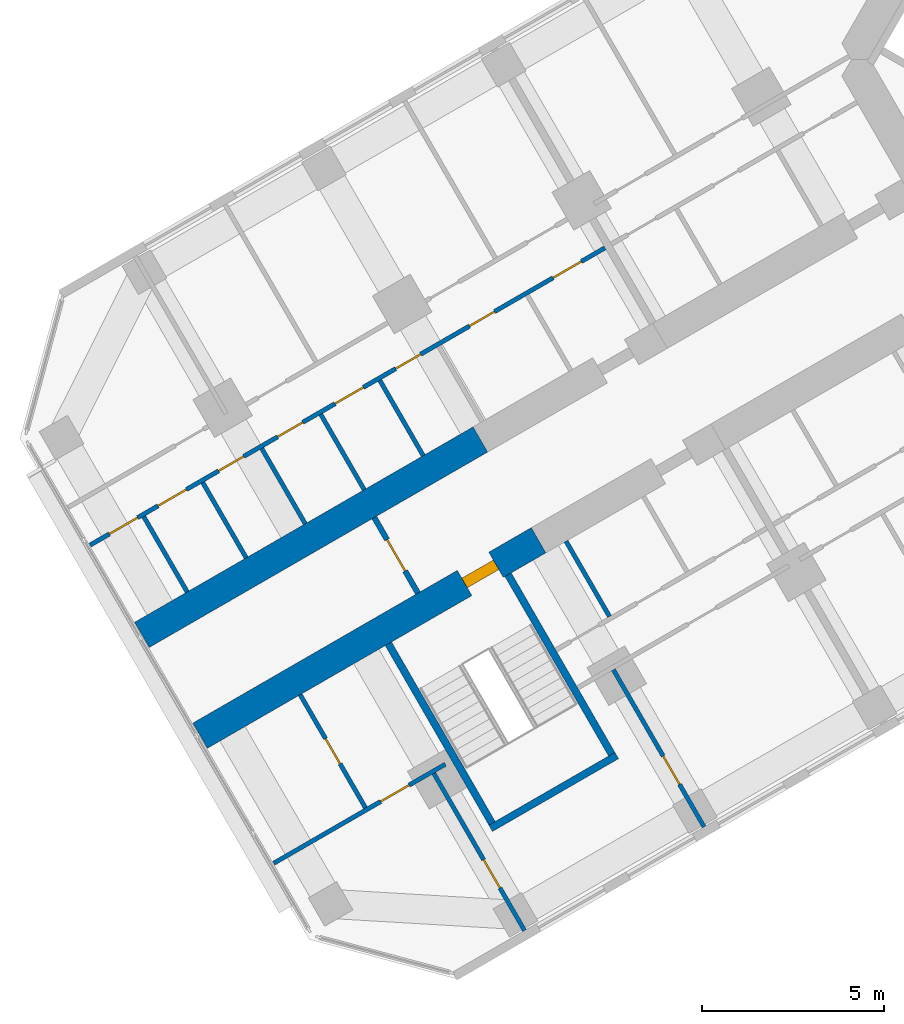
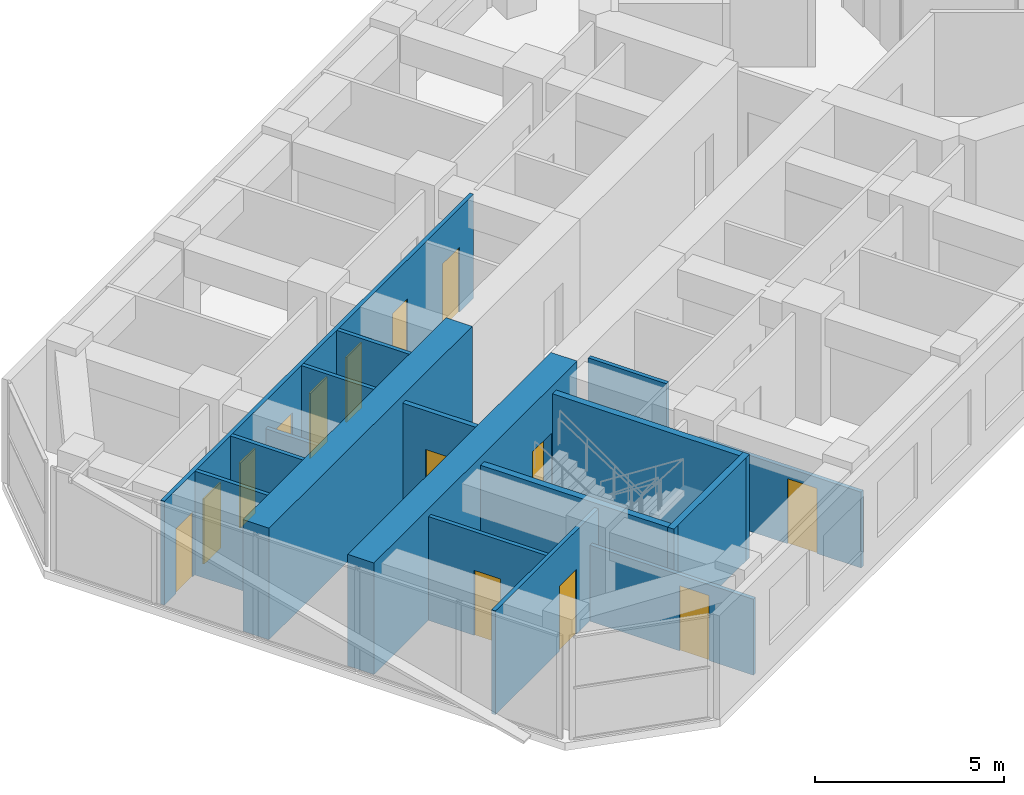
# One storey, part 10 of 19: 17 walls, 14 doors, 14 openings.
"""IFC4 building model written with IfcOpenShell, lengths in metres."""

from ifc_helpers import new_model, si_unit, direction, frame, frame_2d, origin, place, context, subcontext, project, spatial, rectangle, extrude, material, layer, layer_set, type_object, element, fill, save


model = new_model("IFC4")

# Units and contexts
model_context = context("Model", 3, precision=1e-05, world=origin(), true_north=direction((0.0, 1.0)))
body_context = subcontext(model_context, "Body", "Model", "MODEL_VIEW")
ifc_project = project(units=[si_unit("LENGTHUNIT", "METRE"), si_unit("AREAUNIT", "SQUARE_METRE"), si_unit("VOLUMEUNIT", "CUBIC_METRE"), si_unit("PLANEANGLEUNIT", "RADIAN"), si_unit("MASSUNIT", "GRAM", prefix="KILO")], contexts=[model_context])

# Site, building, storey
site_placement = place(None, origin())
site = spatial("IfcSite", under=ifc_project, at=site_placement, CompositionType="ELEMENT")
building_placement = place(site_placement, origin())
building = spatial("IfcBuilding", under=site, at=building_placement, Name="Kosmar Iwan School Tower", CompositionType="ELEMENT")
storey_placement = place(building_placement, frame((0.0, 0.0, 165.199951171875)))
storey = spatial("IfcBuildingStorey", under=building, at=storey_placement, Name="L41", CompositionType="ELEMENT", Elevation=165.199951171875)

# Wall, opening, door
ifc_material_1 = material(Name="Concrete C50/60", Category="concrete")
ifc_layer_1 = layer(ifc_material_1, 0.800048828125)
ifc_layer_set_1 = layer_set([ifc_layer_1], Name="Corridor buttress wall 800")
wall_type_1 = type_object("IfcWallType", Name="Corridor buttress wall 800", PredefinedType="SHEAR", material=ifc_layer_set_1)
wall_1_placement = place(storey_placement, frame((-19.681396484375, -13.210693359375, 0.0), z_axis=(0.0, 0.0, 1.0), x_axis=(-0.866028186671, -0.499995179869, 0.0)))
wall_1 = element("IfcWall", 1, at=wall_1_placement, inside=storey, type_object=wall_type_1, Name="Corridor wall BL bay 3", PredefinedType="SHEAR", context=body_context, shape_type="SweptSolid", body=[
    extrude(rectangle(XDim=10.7451171875, YDim=0.800048828125, at=frame_2d((5.37255859375, 0.0))), origin(), (0.0, 0.0, 1.0), 3.60009765625),
])
opening_1_placement = place(wall_1_placement, frame((1.35009765625, 0.0, 0.0)))
opening_1 = element("IfcOpeningElement", 2, at=opening_1_placement, cuts=wall_1, Name="Opening D6", PredefinedType="OPENING", context=body_context, shape_type="SweptSolid", body=[
    extrude(rectangle(XDim=1.0, YDim=2.10009765625, at=frame_2d((0.5, 1.050048828125))), frame((0.0, 0.412109375, 0.0), z_axis=(0.0, -1.0, 0.0), x_axis=(1.0, 0.0, 0.0)), (0.0, 0.0, 1.0), 0.823974609375),
])
ifc_material_2 = material(Name="Steel fire door", Category="steel")
door_type_1 = type_object("IfcDoorType", Name="Stair door 1000x2100", OperationType="SINGLE_SWING_LEFT", PredefinedType="DOOR", material=ifc_material_2)
door_1_placement = place(opening_1_placement, origin())
door_1 = element("IfcDoor", 3, at=door_1_placement, inside=storey, type_object=door_type_1, Name="Stair WS2 door L41", OperationType="SINGLE_SWING_LEFT", OverallHeight=2.10009765625, OverallWidth=1.0, PredefinedType="DOOR", context=body_context, shape_type="SweptSolid", body=[
    extrude(rectangle(XDim=1.0, YDim=2.10009765625, at=frame_2d((0.5, 1.050048828125))), frame((0.0, 0.14990234375, 0.0), z_axis=(0.0, -1.0, 0.0), x_axis=(1.0, 0.0, 0.0)), (0.0, 0.0, 1.0), 0.300048828125),
])
fill(opening_1, door_1)

# Wall
wall_2_placement = place(storey_placement, frame((-21.281494140625, -10.439453125, 0.0), z_axis=(0.0, 0.0, 1.0), x_axis=(-0.866032345022, -0.499987977232, 0.0)))
element("IfcWall", 4, at=wall_2_placement, inside=storey, type_object=wall_type_1, Name="Corridor wall BR bay 3", PredefinedType="SHEAR", context=body_context, shape_type="SweptSolid", body=[
    extrude(rectangle(XDim=10.744873046875, YDim=0.800048828125, at=frame_2d((5.37255859375, 0.0))), origin(), (0.0, 0.0, 1.0), 3.60009765625),
])

# Wall, opening, door
ifc_material_3 = material(Name="Gypsum board on steel studs, fire-rated", Category="steel")
ifc_layer_2 = layer(ifc_material_3, 0.14990234375)
ifc_layer_set_2 = layer_set([ifc_layer_2], Name="Corridor end wall 150")
wall_type_2 = type_object("IfcWallType", Name="Corridor end wall 150", PredefinedType="PARTITIONING", material=ifc_layer_set_2)
wall_3_placement = place(storey_placement, frame((-24.19921875, -12.585693359375, 0.0), z_axis=(0.0, 0.0, 1.0), x_axis=(0.499957262057, -0.866050077142, 0.0)))
wall_3 = element("IfcWall", 5, at=wall_3_placement, inside=storey, type_object=wall_type_2, Name="Partition L41-B-CE", PredefinedType="PARTITIONING", context=body_context, shape_type="SweptSolid", body=[
    extrude(rectangle(XDim=2.400146484375, YDim=0.14990234375, at=frame_2d((1.2001953125, 0.0))), origin(), (0.0, 0.0, 1.0), 3.35009765625),
])
opening_2_placement = place(wall_3_placement, frame((0.699951171875, 0.0, 0.0)))
opening_2 = element("IfcOpeningElement", 6, at=opening_2_placement, cuts=wall_3, Name="Opening D13", PredefinedType="OPENING", context=body_context, shape_type="SweptSolid", body=[
    extrude(rectangle(XDim=1.0, YDim=2.10009765625, at=frame_2d((0.5, 1.050048828125))), frame((0.0, 0.0869140625, 0.0), z_axis=(0.0, -1.0, 0.0), x_axis=(1.0, 0.0, 0.0)), (0.0, 0.0, 1.0), 0.173828125),
])
ifc_material_4 = material(Name="Timber fire door with vision panel", Category="wood")
door_type_2 = type_object("IfcDoorType", Name="Corridor end door 1000x2100", OperationType="SINGLE_SWING_LEFT", PredefinedType="DOOR", material=ifc_material_4)
door_2_placement = place(opening_2_placement, origin())
door_2 = element("IfcDoor", 7, at=door_2_placement, inside=storey, type_object=door_type_2, Name="Laundry and drying room door L41-B", OperationType="SINGLE_SWING_RIGHT", OverallHeight=2.10009765625, OverallWidth=1.0, PredefinedType="DOOR", context=body_context, shape_type="SweptSolid", body=[
    extrude(rectangle(XDim=1.0, YDim=2.10009765625, at=frame_2d((0.5, 1.050048828125))), frame((0.0, 0.02490234375, 0.0), z_axis=(0.0, -1.0, 0.0), x_axis=(1.0, 0.0, 0.0)), (0.0, 0.0, 1.0), 0.050048828125),
])
fill(opening_2, door_2)

# Wall
ifc_material_5 = material(Name="Gypsum board on steel studs", Category="steel")
ifc_layer_3 = layer(ifc_material_5, 0.1201171875)
ifc_layer_set_3 = layer_set([ifc_layer_3], Name="Dwelling partition 120")
wall_type_3 = type_object("IfcWallType", Name="Dwelling partition 120", PredefinedType="PARTITIONING", material=ifc_layer_set_3)
wall_4_placement = place(storey_placement, frame((-18.92724609375, -13.237060546875, 0.0), z_axis=(0.0, 0.0, 1.0), x_axis=(0.500017192868, -0.86601547725, 0.0)))
element("IfcWall", 8, at=wall_4_placement, inside=storey, type_object=wall_type_3, Name="Partition L41-BL2-Y2", PredefinedType="PARTITIONING", context=body_context, shape_type="SweptSolid", body=[
    extrude(rectangle(XDim=2.39013671875, YDim=0.1201171875, at=frame_2d((1.195068359375, 0.0))), origin(), (0.0, 0.0, 1.0), 3.35009765625),
])

# Wall, opening, door
wall_5_placement = place(storey_placement, frame((-17.62646484375, -16.77001953125, 0.0), z_axis=(0.0, 0.0, 1.0), x_axis=(0.499975153383, -0.86603974851, 0.0)))
wall_5 = element("IfcWall", 9, at=wall_5_placement, inside=storey, type_object=wall_type_3, Name="Partition L41-BL2-TB", PredefinedType="PARTITIONING", context=body_context, shape_type="SweptSolid", body=[
    extrude(rectangle(XDim=4.989990234375, YDim=0.1201171875, at=frame_2d((2.4951171875, 0.0))), origin(), (0.0, 0.0, 1.0), 2.449951171875),
])
opening_3_placement = place(wall_5_placement, frame((2.739990234375, 0.0, 0.0)))
opening_3 = element("IfcOpeningElement", 10, at=opening_3_placement, cuts=wall_5, Name="Opening D2", PredefinedType="OPENING", context=body_context, shape_type="SweptSolid", body=[
    extrude(rectangle(XDim=0.89990234375, YDim=2.10009765625, at=frame_2d((0.449951171875, 1.050048828125))), frame((0.0, 0.072021484375, 0.0), z_axis=(0.0, -1.0, 0.0), x_axis=(1.0, 0.0, 0.0)), (0.0, 0.0, 1.0), 0.14404296875),
])
ifc_material_6 = material(Name="Timber door in timber frame", Category="wood")
door_type_3 = type_object("IfcDoorType", Name="Internal door 900x2100", OperationType="SINGLE_SWING_LEFT", PredefinedType="DOOR", material=ifc_material_6)
door_3_placement = place(opening_3_placement, origin())
door_3 = element("IfcDoor", 11, at=door_3_placement, inside=storey, type_object=door_type_3, Name="Study door L41-BL2-F1", OperationType="SINGLE_SWING_RIGHT", OverallHeight=2.10009765625, OverallWidth=0.89990234375, PredefinedType="DOOR", context=body_context, shape_type="SweptSolid", body=[
    extrude(rectangle(XDim=0.89990234375, YDim=2.10009765625, at=frame_2d((0.449951171875, 1.050048828125))), frame((0.0, 0.02490234375, 0.0), z_axis=(0.0, -1.0, 0.0), x_axis=(1.0, 0.0, 0.0)), (0.0, 0.0, 1.0), 0.050048828125),
])
fill(opening_3, door_3)

wall_6_placement = place(storey_placement, frame((-22.562744140625, -19.6201171875, 0.0), z_axis=(0.0, 0.0, 1.0), x_axis=(0.499996339024, -0.86602751744, 0.0)))
wall_6 = element("IfcWall", 12, at=wall_6_placement, inside=storey, type_object=wall_type_3, Name="Partition L41-BL2-TX", PredefinedType="PARTITIONING", context=body_context, shape_type="SweptSolid", body=[
    extrude(rectangle(XDim=4.98974609375, YDim=0.1201171875, at=frame_2d((2.494873046875, 0.0))), origin(), (0.0, 0.0, 1.0), 2.449951171875),
])
opening_4_placement = place(wall_6_placement, frame((2.739990234375, 0.0, 0.0)))
opening_4 = element("IfcOpeningElement", 13, at=opening_4_placement, cuts=wall_6, Name="Opening D2", PredefinedType="OPENING", context=body_context, shape_type="SweptSolid", body=[
    extrude(rectangle(XDim=0.89990234375, YDim=2.10009765625, at=frame_2d((0.449951171875, 1.050048828125))), frame((0.0, 0.072021484375, 0.0), z_axis=(0.0, -1.0, 0.0), x_axis=(1.0, 0.0, 0.0)), (0.0, 0.0, 1.0), 0.14404296875),
])
door_4_placement = place(opening_4_placement, origin())
door_4 = element("IfcDoor", 14, at=door_4_placement, inside=storey, type_object=door_type_3, Name="Study door L41-BL2-T1", OperationType="SINGLE_SWING_RIGHT", OverallHeight=2.10009765625, OverallWidth=0.89990234375, PredefinedType="DOOR", context=body_context, shape_type="SweptSolid", body=[
    extrude(rectangle(XDim=0.89990234375, YDim=2.10009765625, at=frame_2d((0.449951171875, 1.050048828125))), frame((0.0, 0.02490234375, 0.0), z_axis=(0.0, -1.0, 0.0), x_axis=(1.0, 0.0, 0.0)), (0.0, 0.0, 1.0), 0.050048828125),
])
fill(opening_4, door_4)

wall_7_placement = place(storey_placement, frame((-22.246337890625, -19.3681640625, 0.0), z_axis=(0.0, 0.0, 1.0), x_axis=(-0.866035508231, -0.499982498177, 0.0)))
wall_7 = element("IfcWall", 15, at=wall_7_placement, inside=storey, type_object=wall_type_3, Name="Partition L41-BL2-TW", PredefinedType="PARTITIONING", context=body_context, shape_type="SweptSolid", body=[
    extrude(rectangle(XDim=5.445068359375, YDim=0.1201171875, at=frame_2d((2.72265625, 0.0))), origin(), (0.0, 0.0, 1.0), 3.35009765625),
])
opening_5_placement = place(wall_7_placement, frame((1.14990234375, 0.0, 0.0)))
opening_5 = element("IfcOpeningElement", 16, at=opening_5_placement, cuts=wall_7, Name="Opening D2", PredefinedType="OPENING", context=body_context, shape_type="SweptSolid", body=[
    extrude(rectangle(XDim=0.89990234375, YDim=2.10009765625, at=frame_2d((0.449951171875, 1.050048828125))), frame((0.0, 0.072021484375, 0.0), z_axis=(0.0, -1.0, 0.0), x_axis=(1.0, 0.0, 0.0)), (0.0, 0.0, 1.0), 0.14404296875),
])
door_5_placement = place(opening_5_placement, origin())
door_5 = element("IfcDoor", 17, at=door_5_placement, inside=storey, type_object=door_type_3, Name="Dressing room door L41-BL2-T3", OperationType="SINGLE_SWING_LEFT", OverallHeight=2.10009765625, OverallWidth=0.89990234375, PredefinedType="DOOR", context=body_context, shape_type="SweptSolid", body=[
    extrude(rectangle(XDim=0.89990234375, YDim=2.10009765625, at=frame_2d((0.449951171875, 1.050048828125))), frame((0.0, 0.02490234375, 0.0), z_axis=(0.0, -1.0, 0.0), x_axis=(1.0, 0.0, 0.0)), (0.0, 0.0, 1.0), 0.050048828125),
])
fill(opening_5, door_5)

wall_8_placement = place(storey_placement, frame((-26.236572265625, -17.45703125, 0.0), z_axis=(0.0, 0.0, 1.0), x_axis=(0.50002266109, -0.866012320003, 0.0)))
wall_8 = element("IfcWall", 18, at=wall_8_placement, inside=storey, type_object=wall_type_3, Name="Partition L41-BL2-TY", PredefinedType="PARTITIONING", context=body_context, shape_type="SweptSolid", body=[
    extrude(rectangle(XDim=3.590087890625, YDim=0.1201171875, at=frame_2d((1.794921875, 0.0))), origin(), (0.0, 0.0, 1.0), 3.35009765625),
])
opening_6_placement = place(wall_8_placement, frame((1.39501953125, 0.0, 0.0)))
opening_6 = element("IfcOpeningElement", 19, at=opening_6_placement, cuts=wall_8, Name="Opening D3", PredefinedType="OPENING", context=body_context, shape_type="SweptSolid", body=[
    extrude(rectangle(XDim=0.800048828125, YDim=2.10009765625, at=frame_2d((0.39990234375, 1.050048828125))), frame((0.0, 0.072021484375, 0.0), z_axis=(0.0, -1.0, 0.0), x_axis=(1.0, 0.0, 0.0)), (0.0, 0.0, 1.0), 0.14404296875),
])
ifc_material_7 = material(Name="Timber door in timber frame", Category="wood")
door_type_4 = type_object("IfcDoorType", Name="Sanitary room door 800x2100", OperationType="SINGLE_SWING_LEFT", PredefinedType="DOOR", material=ifc_material_7)
door_6_placement = place(opening_6_placement, origin())
door_6 = element("IfcDoor", 20, at=door_6_placement, inside=storey, type_object=door_type_4, Name="Shower room door L41-BL2-T4", OperationType="SINGLE_SWING_LEFT", OverallHeight=2.10009765625, OverallWidth=0.800048828125, PredefinedType="DOOR", context=body_context, shape_type="SweptSolid", body=[
    extrude(rectangle(XDim=0.800048828125, YDim=2.10009765625, at=frame_2d((0.39990234375, 1.050048828125))), frame((0.0, 0.02490234375, 0.0), z_axis=(0.0, -1.0, 0.0), x_axis=(1.0, 0.0, 0.0)), (0.0, 0.0, 1.0), 0.050048828125),
])
fill(opening_6, door_6)

# Wall, openings, doors
wall_9_placement = place(storey_placement, frame((-17.856689453125, -5.171142578125, 0.0), z_axis=(0.0, 0.0, 1.0), x_axis=(-0.866023907196, -0.500002592159, 0.0)))
wall_9 = element("IfcWall", 21, at=wall_9_placement, inside=storey, type_object=wall_type_3, Name="Partition L41-BR2-W1", PredefinedType="PARTITIONING", context=body_context, shape_type="SweptSolid", body=[
    extrude(rectangle(XDim=16.34521484375, YDim=0.1201171875, at=frame_2d((8.172607421875, 0.0))), origin(), (0.0, 0.0, 1.0), 3.35009765625),
])
opening_7_placement = place(wall_9_placement, frame((0.75, 0.0, 0.0)))
opening_7 = element("IfcOpeningElement", 22, at=opening_7_placement, cuts=wall_9, Name="Opening D2", PredefinedType="OPENING", context=body_context, shape_type="SweptSolid", body=[
    extrude(rectangle(XDim=0.89990234375, YDim=2.10009765625, at=frame_2d((0.449951171875, 1.050048828125))), frame((0.0, 0.072021484375, 0.0), z_axis=(0.0, -1.0, 0.0), x_axis=(1.0, 0.0, 0.0)), (0.0, 0.0, 1.0), 0.14404296875),
])
opening_8_placement = place(wall_9_placement, frame((3.505126953125, 0.0, 0.0)))
opening_8 = element("IfcOpeningElement", 23, at=opening_8_placement, cuts=wall_9, Name="Opening D3", PredefinedType="OPENING", context=body_context, shape_type="SweptSolid", body=[
    extrude(rectangle(XDim=0.800048828125, YDim=2.10009765625, at=frame_2d((0.39990234375, 1.050048828125))), frame((0.0, 0.072021484375, 0.0), z_axis=(0.0, -1.0, 0.0), x_axis=(1.0, 0.0, 0.0)), (0.0, 0.0, 1.0), 0.14404296875),
])
opening_9_placement = place(wall_9_placement, frame((5.8466796875, 0.0, 0.0)))
opening_9 = element("IfcOpeningElement", 24, at=opening_9_placement, cuts=wall_9, Name="Opening D3", PredefinedType="OPENING", context=body_context, shape_type="SweptSolid", body=[
    extrude(rectangle(XDim=0.800048828125, YDim=2.10009765625, at=frame_2d((0.39990234375, 1.050048828125))), frame((0.0, 0.072021484375, 0.0), z_axis=(0.0, -1.0, 0.0), x_axis=(1.0, 0.0, 0.0)), (0.0, 0.0, 1.0), 0.14404296875),
])
opening_10_placement = place(wall_9_placement, frame((7.669921875, 0.0, 0.0)))
opening_10 = element("IfcOpeningElement", 25, at=opening_10_placement, cuts=wall_9, Name="Opening D2", PredefinedType="OPENING", context=body_context, shape_type="SweptSolid", body=[
    extrude(rectangle(XDim=0.89990234375, YDim=2.10009765625, at=frame_2d((0.449951171875, 1.050048828125))), frame((0.0, 0.072021484375, 0.0), z_axis=(0.0, -1.0, 0.0), x_axis=(1.0, 0.0, 0.0)), (0.0, 0.0, 1.0), 0.14404296875),
])
opening_11_placement = place(wall_9_placement, frame((9.59326171875, 0.0, 0.0)))
opening_11 = element("IfcOpeningElement", 26, at=opening_11_placement, cuts=wall_9, Name="Opening D3", PredefinedType="OPENING", context=body_context, shape_type="SweptSolid", body=[
    extrude(rectangle(XDim=0.800048828125, YDim=2.10009765625, at=frame_2d((0.39990234375, 1.050048828125))), frame((0.0, 0.072021484375, 0.0), z_axis=(0.0, -1.0, 0.0), x_axis=(1.0, 0.0, 0.0)), (0.0, 0.0, 1.0), 0.14404296875),
])
opening_12_placement = place(wall_9_placement, frame((11.466796875, 0.0, 0.0)))
opening_12 = element("IfcOpeningElement", 27, at=opening_12_placement, cuts=wall_9, Name="Opening D3", PredefinedType="OPENING", context=body_context, shape_type="SweptSolid", body=[
    extrude(rectangle(XDim=0.800048828125, YDim=2.10009765625, at=frame_2d((0.39990234375, 1.050048828125))), frame((0.0, 0.072021484375, 0.0), z_axis=(0.0, -1.0, 0.0), x_axis=(1.0, 0.0, 0.0)), (0.0, 0.0, 1.0), 0.14404296875),
])
opening_13_placement = place(wall_9_placement, frame((13.2900390625, 0.0, 0.0)))
opening_13 = element("IfcOpeningElement", 28, at=opening_13_placement, cuts=wall_9, Name="Opening D2", PredefinedType="OPENING", context=body_context, shape_type="SweptSolid", body=[
    extrude(rectangle(XDim=0.89990234375, YDim=2.10009765625, at=frame_2d((0.449951171875, 1.050048828125))), frame((0.0, 0.072021484375, 0.0), z_axis=(0.0, -1.0, 0.0), x_axis=(1.0, 0.0, 0.0)), (0.0, 0.0, 1.0), 0.14404296875),
])
opening_14_placement = place(wall_9_placement, frame((14.836669921875, 0.0, 0.0)))
opening_14 = element("IfcOpeningElement", 29, at=opening_14_placement, cuts=wall_9, Name="Opening D2", PredefinedType="OPENING", context=body_context, shape_type="SweptSolid", body=[
    extrude(rectangle(XDim=0.89990234375, YDim=2.10009765625, at=frame_2d((0.449951171875, 1.050048828125))), frame((0.0, 0.072021484375, 0.0), z_axis=(0.0, -1.0, 0.0), x_axis=(1.0, 0.0, 0.0)), (0.0, 0.0, 1.0), 0.14404296875),
])
door_7_placement = place(opening_7_placement, origin())
door_7 = element("IfcDoor", 30, at=door_7_placement, inside=storey, type_object=door_type_3, Name="Entrance hall door L41-BR2-S1", OperationType="SINGLE_SWING_RIGHT", OverallHeight=2.10009765625, OverallWidth=0.89990234375, PredefinedType="DOOR", context=body_context, shape_type="SweptSolid", body=[
    extrude(rectangle(XDim=0.89990234375, YDim=2.10009765625, at=frame_2d((0.449951171875, 1.050048828125))), frame((0.0, 0.02490234375, 0.0), z_axis=(0.0, -1.0, 0.0), x_axis=(1.0, 0.0, 0.0)), (0.0, 0.0, 1.0), 0.050048828125),
])
fill(opening_7, door_7)
door_8_placement = place(opening_10_placement, origin())
door_8 = element("IfcDoor", 31, at=door_8_placement, inside=storey, type_object=door_type_3, Name="Pantry door L41-BR2-S4", OperationType="SINGLE_SWING_LEFT", OverallHeight=2.10009765625, OverallWidth=0.89990234375, PredefinedType="DOOR", context=body_context, shape_type="SweptSolid", body=[
    extrude(rectangle(XDim=0.89990234375, YDim=2.10009765625, at=frame_2d((0.449951171875, 1.050048828125))), frame((0.0, 0.02490234375, 0.0), z_axis=(0.0, -1.0, 0.0), x_axis=(1.0, 0.0, 0.0)), (0.0, 0.0, 1.0), 0.050048828125),
])
fill(opening_10, door_8)
door_9_placement = place(opening_13_placement, origin())
door_9 = element("IfcDoor", 32, at=door_9_placement, inside=storey, type_object=door_type_3, Name="Utility room door L41-BR2-S7", OperationType="SINGLE_SWING_RIGHT", OverallHeight=2.10009765625, OverallWidth=0.89990234375, PredefinedType="DOOR", context=body_context, shape_type="SweptSolid", body=[
    extrude(rectangle(XDim=0.89990234375, YDim=2.10009765625, at=frame_2d((0.449951171875, 1.050048828125))), frame((0.0, 0.02490234375, 0.0), z_axis=(0.0, -1.0, 0.0), x_axis=(1.0, 0.0, 0.0)), (0.0, 0.0, 1.0), 0.050048828125),
])
fill(opening_13, door_9)
door_10_placement = place(opening_14_placement, origin())
door_10 = element("IfcDoor", 33, at=door_10_placement, inside=storey, type_object=door_type_3, Name="Dressing room door L41-BR2-S8", OperationType="SINGLE_SWING_LEFT", OverallHeight=2.10009765625, OverallWidth=0.89990234375, PredefinedType="DOOR", context=body_context, shape_type="SweptSolid", body=[
    extrude(rectangle(XDim=0.89990234375, YDim=2.10009765625, at=frame_2d((0.449951171875, 1.050048828125))), frame((0.0, 0.02490234375, 0.0), z_axis=(0.0, -1.0, 0.0), x_axis=(1.0, 0.0, 0.0)), (0.0, 0.0, 1.0), 0.050048828125),
])
fill(opening_14, door_10)
door_11_placement = place(opening_8_placement, origin())
door_11 = element("IfcDoor", 34, at=door_11_placement, inside=storey, type_object=door_type_4, Name="Bathroom door L41-BR2-S2", OperationType="SINGLE_SWING_LEFT", OverallHeight=2.10009765625, OverallWidth=0.800048828125, PredefinedType="DOOR", context=body_context, shape_type="SweptSolid", body=[
    extrude(rectangle(XDim=0.800048828125, YDim=2.10009765625, at=frame_2d((0.39990234375, 1.050048828125))), frame((0.0, 0.02490234375, 0.0), z_axis=(0.0, -1.0, 0.0), x_axis=(1.0, 0.0, 0.0)), (0.0, 0.0, 1.0), 0.050048828125),
])
fill(opening_8, door_11)
door_12_placement = place(opening_9_placement, origin())
door_12 = element("IfcDoor", 35, at=door_12_placement, inside=storey, type_object=door_type_4, Name="Shower room door L41-BR2-S3", OperationType="SINGLE_SWING_RIGHT", OverallHeight=2.10009765625, OverallWidth=0.800048828125, PredefinedType="DOOR", context=body_context, shape_type="SweptSolid", body=[
    extrude(rectangle(XDim=0.800048828125, YDim=2.10009765625, at=frame_2d((0.39990234375, 1.050048828125))), frame((0.0, 0.02490234375, 0.0), z_axis=(0.0, -1.0, 0.0), x_axis=(1.0, 0.0, 0.0)), (0.0, 0.0, 1.0), 0.050048828125),
])
fill(opening_9, door_12)
door_13_placement = place(opening_11_placement, origin())
door_13 = element("IfcDoor", 36, at=door_13_placement, inside=storey, type_object=door_type_4, Name="WC door L41-BR2-S5", OperationType="SINGLE_SWING_RIGHT", OverallHeight=2.10009765625, OverallWidth=0.800048828125, PredefinedType="DOOR", context=body_context, shape_type="SweptSolid", body=[
    extrude(rectangle(XDim=0.800048828125, YDim=2.10009765625, at=frame_2d((0.39990234375, 1.050048828125))), frame((0.0, 0.02490234375, 0.0), z_axis=(0.0, -1.0, 0.0), x_axis=(1.0, 0.0, 0.0)), (0.0, 0.0, 1.0), 0.050048828125),
])
fill(opening_11, door_13)
door_14_placement = place(opening_12_placement, origin())
door_14 = element("IfcDoor", 37, at=door_14_placement, inside=storey, type_object=door_type_4, Name="Store door L41-BR2-S6", OperationType="SINGLE_SWING_LEFT", OverallHeight=2.10009765625, OverallWidth=0.800048828125, PredefinedType="DOOR", context=body_context, shape_type="SweptSolid", body=[
    extrude(rectangle(XDim=0.800048828125, YDim=2.10009765625, at=frame_2d((0.39990234375, 1.050048828125))), frame((0.0, 0.02490234375, 0.0), z_axis=(0.0, -1.0, 0.0), x_axis=(1.0, 0.0, 0.0)), (0.0, 0.0, 1.0), 0.050048828125),
])
fill(opening_12, door_14)

# Walls
wall_10_placement = place(storey_placement, frame((-22.852783203125, -10.884521484375, 0.0), z_axis=(0.0, 0.0, 1.0), x_axis=(-0.499940577336, 0.866059708757, 0.0)))
element("IfcWall", 38, at=wall_10_placement, inside=storey, type_object=wall_type_3, Name="Partition L41-BR2-Y3", PredefinedType="PARTITIONING", context=body_context, shape_type="SweptSolid", body=[
    extrude(rectangle(XDim=2.389892578125, YDim=0.1201171875, at=frame_2d((1.19482421875, 0.0))), origin(), (0.0, 0.0, 1.0), 3.35009765625),
])
wall_11_placement = place(storey_placement, frame((-24.47509765625, -11.8212890625, 0.0), z_axis=(0.0, 0.0, 1.0), x_axis=(-0.500017192868, 0.86601547725, 0.0)))
element("IfcWall", 39, at=wall_11_placement, inside=storey, type_object=wall_type_3, Name="Partition L41-BR2-Y4", PredefinedType="PARTITIONING", context=body_context, shape_type="SweptSolid", body=[
    extrude(rectangle(XDim=2.39013671875, YDim=0.1201171875, at=frame_2d((1.195068359375, 0.0))), origin(), (0.0, 0.0, 1.0), 3.35009765625),
])
wall_12_placement = place(storey_placement, frame((-26.097412109375, -12.758056640625, 0.0), z_axis=(0.0, 0.0, 1.0), x_axis=(-0.500017192868, 0.86601547725, 0.0)))
element("IfcWall", 40, at=wall_12_placement, inside=storey, type_object=wall_type_3, Name="Partition L41-BR2-Y5", PredefinedType="PARTITIONING", context=body_context, shape_type="SweptSolid", body=[
    extrude(rectangle(XDim=2.39013671875, YDim=0.1201171875, at=frame_2d((1.195068359375, 0.0))), origin(), (0.0, 0.0, 1.0), 2.449951171875),
])
for number, where, z_axis, x_axis, name in (
    (41, (-27.7197265625, -13.694580078125, 0.0), (0.0, 0.0, 1.0), (-0.500017192868, 0.86601547725, 0.0), "Partition L41-BR2-Y6"),
    (42, (-29.342041015625, -14.63134765625, 0.0), (0.0, 0.0, 1.0), (-0.500017192868, 0.86601547725, 0.0), "Partition L41-BR2-Y7"),
):
    element("IfcWall", number, at=place(storey_placement, frame(where, z_axis=z_axis, x_axis=x_axis)), inside=storey, type_object=wall_type_3, Name=name, PredefinedType="PARTITIONING", context=body_context, shape_type="SweptSolid", body=[
        extrude(rectangle(XDim=2.39013671875, YDim=0.1201171875, at=frame_2d((1.195068359375, 0.0))), origin(), (0.0, 0.0, 1.0), 3.35009765625),
    ])
ifc_material_8 = material(Name="Concrete C35/45", Category="concrete")
ifc_layer_4 = layer(ifc_material_8, 0.199951171875)
ifc_layer_set_4 = layer_set([ifc_layer_4], Name="Escape stair wall 200")
wall_type_4 = type_object("IfcWallType", Name="Escape stair wall 200", PredefinedType="SHEAR", material=ifc_layer_set_4)
wall_13_placement = place(storey_placement, frame((-20.520751953125, -14.156982421875, 0.0), z_axis=(0.0, 0.0, 1.0), x_axis=(0.499988710057, -0.866031921938, 0.0)))
element("IfcWall", 43, at=wall_13_placement, inside=storey, type_object=wall_type_4, Name="Stair WS2 wall", PredefinedType="SHEAR", context=body_context, shape_type="SweptSolid", body=[
    extrude(rectangle(XDim=5.900146484375, YDim=0.199951171875, at=frame_2d((2.9501953125, 0.0))), origin(), (0.0, 0.0, 1.0), 3.330078125),
])
wall_14_placement = place(storey_placement, frame((-23.8115234375, -16.05712890625, 0.0), z_axis=(0.0, 0.0, 1.0), x_axis=(0.500006628179, -0.86602157697, 0.0)))
element("IfcWall", 44, at=wall_14_placement, inside=storey, type_object=wall_type_4, Name="Stair WS2 wall", PredefinedType="SHEAR", context=body_context, shape_type="SweptSolid", body=[
    extrude(rectangle(XDim=5.89990234375, YDim=0.199951171875, at=frame_2d((2.949951171875, 0.0))), origin(), (0.0, 0.0, 1.0), 3.330078125),
])
wall_15_placement = place(storey_placement, frame((-17.5341796875, -19.1298828125, 0.0), z_axis=(0.0, 0.0, 1.0), x_axis=(-0.866026010844, -0.49999894854, 0.0)))
element("IfcWall", 45, at=wall_15_placement, inside=storey, type_object=wall_type_4, Name="Stair WS2 wall", PredefinedType="SHEAR", context=body_context, shape_type="SweptSolid", body=[
    extrude(rectangle(XDim=4.0, YDim=0.199951171875, at=frame_2d((2.0, 0.0))), origin(), (0.0, 0.0, 1.0), 3.330078125),
])

save(model, "model.ifc")
